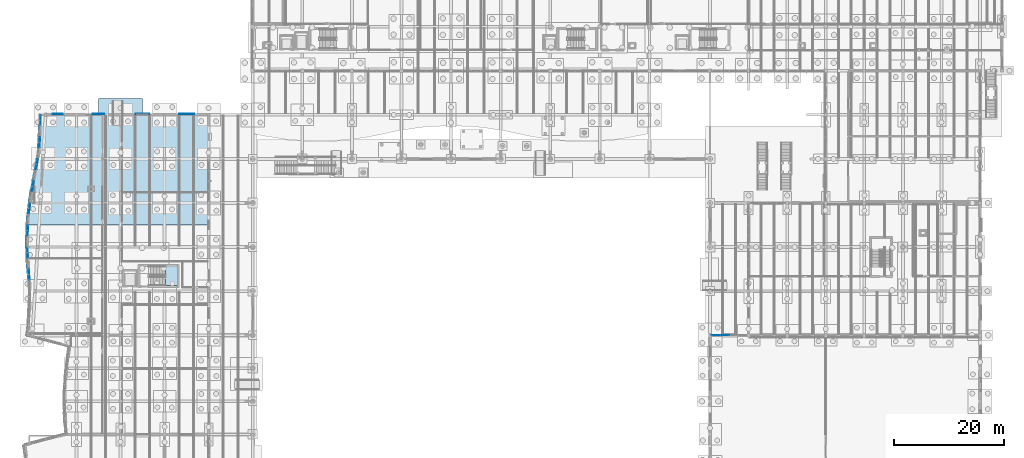
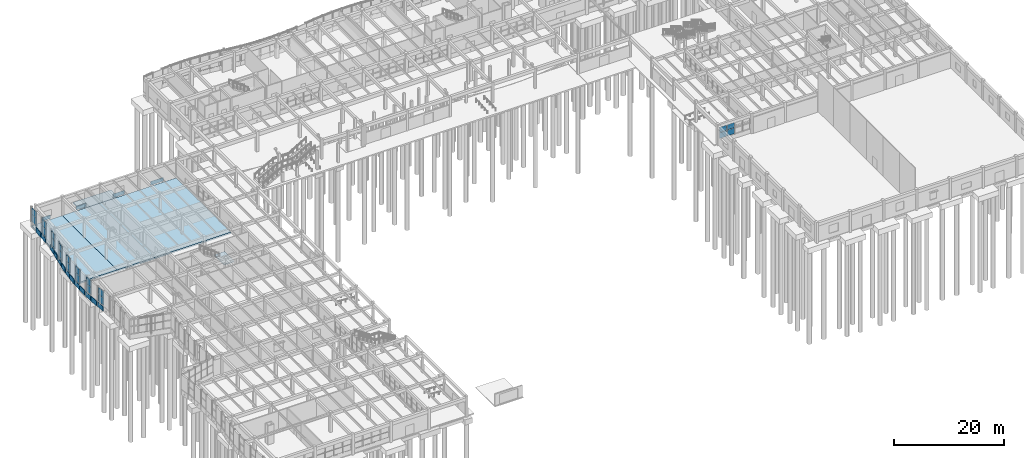
# One storey, part 53 of 99: 37 plates, 4 slabs, 10 elements without a shape of their own.
"""IFC4 building model written with IfcOpenShell, lengths in metres."""

from ifc_helpers import new_model, si_unit, direction, frame, origin, origin_2d, place, context, subcontext, project, spatial, polyline, rectangle, outline, extrude, material, layer, layer_set, type_object, element, aggregate, save


model = new_model("IFC4")

# Units and contexts
model_context = context("Model", 3, precision=1e-05, world=origin(), true_north=direction((0.0, 1.0)))
body_context = subcontext(model_context, "Body", "Model", "MODEL_VIEW")
ifc_project = project(units=[si_unit("LENGTHUNIT", "METRE"), si_unit("AREAUNIT", "SQUARE_METRE"), si_unit("VOLUMEUNIT", "CUBIC_METRE"), si_unit("PLANEANGLEUNIT", "RADIAN"), si_unit("MASSUNIT", "GRAM", prefix="KILO")], contexts=[model_context])

# Site, building, storey
site_placement = place(None, origin())
site = spatial("IfcSite", under=ifc_project, at=site_placement, CompositionType="ELEMENT")
building_placement = place(site_placement, origin())
building = spatial("IfcBuilding", under=site, at=building_placement, Name="Tonlespit Floodbar School", CompositionType="ELEMENT")
storey_placement = place(building_placement, origin())
storey = spatial("IfcBuildingStorey", under=building, at=storey_placement, Name="L00", CompositionType="ELEMENT", Elevation=0.0)

# Curtain wall, plates
ifc_material_1 = material(Name="Anodised Aluminium", Category="aluminium")
ifc_layer_1 = layer(ifc_material_1, 0.159912109375)
ifc_layer_set_1 = layer_set([ifc_layer_1], Name="Anodised Aluminium")
curtain_wall_type_1 = type_object("IfcCurtainWallType", Name="CurtainWall_1950x3300", PredefinedType="NOTDEFINED", material=ifc_layer_set_1)
curtain_wall_1_placement = place(storey_placement, origin())
curtain_wall_1 = element("IfcCurtainWall", 1, at=curtain_wall_1_placement, inside=storey, type_object=curtain_wall_type_1, Name="L00 unitised curtain wall 0261", PredefinedType="NOTDEFINED")
ifc_material_2 = material(Name="Laminated Low-E Glass", Category="glass")
ifc_layer_2 = layer(ifc_material_2, 0.028076171875)
ifc_layer_set_2 = layer_set([ifc_layer_2], Name="Laminated Low-E Glass")
plate_type_1 = type_object("IfcPlateType", Name="CW_Panel_Glaz_28", PredefinedType="CURTAIN_PANEL", material=ifc_layer_set_2)
plate_1_placement = place(storey_placement, frame((3.507080078125, 79.0, 1.014892578125), z_axis=(0.0, 0.0, 1.0), x_axis=(0.116967255837, 0.993135771716, 0.0)))
plate_1 = element("IfcPlate", 2, at=plate_1_placement, type_object=plate_type_1, Name="CW-01 panel 1.1", PredefinedType="CURTAIN_PANEL", context=body_context, shape_type="SweptSolid", body=[
    extrude(rectangle(XDim=1.803955078125, YDim=0.028076171875, at=origin_2d()), origin(), (0.0, 0.0, 1.0), 1.61328125),
])
plate_2_placement = place(storey_placement, frame((3.507080078125, 79.0, 2.693359375), z_axis=(0.0, 0.0, 1.0), x_axis=(0.116967255837, 0.993135771716, 0.0)))
plate_2 = element("IfcPlate", 3, at=plate_2_placement, type_object=plate_type_1, Name="CW-01 panel 1.2", PredefinedType="CURTAIN_PANEL", context=body_context, shape_type="SweptSolid", body=[
    extrude(rectangle(XDim=1.803955078125, YDim=0.028076171875, at=origin_2d()), origin(), (0.0, 0.0, 1.0), 1.481689453125),
])
aggregate(curtain_wall_1, [plate_1, plate_2])

ifc_layer_3 = layer(ifc_material_1, 0.159912109375)
ifc_layer_set_3 = layer_set([ifc_layer_3], Name="Anodised Aluminium")
curtain_wall_type_2 = type_object("IfcCurtainWallType", Name="CurtainWall_1900x3300", PredefinedType="NOTDEFINED", material=ifc_layer_set_3)
curtain_wall_2_placement = place(storey_placement, origin())
curtain_wall_2 = element("IfcCurtainWall", 4, at=curtain_wall_2_placement, inside=storey, type_object=curtain_wall_type_2, Name="L00 unitised curtain wall 0265", PredefinedType="NOTDEFINED")
plate_3_placement = place(storey_placement, frame((5.5126953125, 95.0, 1.014892578125), z_axis=(0.0, 0.0, 1.0), x_axis=(0.00218749477, 0.99999760743, 0.0)))
plate_3 = element("IfcPlate", 5, at=plate_3_placement, type_object=plate_type_1, Name="CW-02 panel 1.1", PredefinedType="CURTAIN_PANEL", context=body_context, shape_type="SweptSolid", body=[
    extrude(rectangle(XDim=1.7900390625, YDim=0.028076171875, at=origin_2d()), origin(), (0.0, 0.0, 1.0), 1.61328125),
])
plate_4_placement = place(storey_placement, frame((5.5126953125, 95.0, 2.693359375), z_axis=(0.0, 0.0, 1.0), x_axis=(0.00218749477, 0.99999760743, 0.0)))
plate_4 = element("IfcPlate", 6, at=plate_4_placement, type_object=plate_type_1, Name="CW-02 panel 1.2", PredefinedType="CURTAIN_PANEL", context=body_context, shape_type="SweptSolid", body=[
    extrude(rectangle(XDim=1.7900390625, YDim=0.028076171875, at=origin_2d()), origin(), (0.0, 0.0, 1.0), 1.481689453125),
])
aggregate(curtain_wall_2, [plate_3, plate_4])

curtain_wall_3_placement = place(storey_placement, origin())
curtain_wall_3 = element("IfcCurtainWall", 7, at=curtain_wall_3_placement, inside=storey, type_object=curtain_wall_type_1, Name="L00 unitised curtain wall 0258", PredefinedType="NOTDEFINED")
ifc_layer_4 = layer(ifc_material_2, 0.031982421875)
ifc_layer_set_4 = layer_set([ifc_layer_4], Name="Laminated Low-E Glass")
plate_type_2 = type_object("IfcPlateType", Name="CW_Panel_Glaz_32", PredefinedType="CURTAIN_PANEL", material=ifc_layer_set_4)
plate_5_placement = place(storey_placement, frame((3.44580078125, 67.0, 1.014892578125), z_axis=(0.0, 0.0, 1.0), x_axis=(-0.075711654028, 0.997129753565, 0.0)))
plate_5 = element("IfcPlate", 8, at=plate_5_placement, type_object=plate_type_2, Name="CW-01 panel 1.1", PredefinedType="CURTAIN_PANEL", context=body_context, shape_type="SweptSolid", body=[
    extrude(rectangle(XDim=1.795654296875, YDim=0.031982421875, at=origin_2d()), origin(), (0.0, 0.0, 1.0), 1.61328125),
])
plate_6_placement = place(storey_placement, frame((3.44580078125, 67.0, 2.693359375), z_axis=(0.0, 0.0, 1.0), x_axis=(-0.075711654028, 0.997129753565, 0.0)))
plate_6 = element("IfcPlate", 9, at=plate_6_placement, type_object=plate_type_2, Name="CW-01 panel 1.2", PredefinedType="CURTAIN_PANEL", context=body_context, shape_type="SweptSolid", body=[
    extrude(rectangle(XDim=1.795654296875, YDim=0.031982421875, at=origin_2d()), origin(), (0.0, 0.0, 1.0), 1.481689453125),
])
aggregate(curtain_wall_3, [plate_5, plate_6])

curtain_wall_4_placement = place(storey_placement, origin())
curtain_wall_4 = element("IfcCurtainWall", 10, at=curtain_wall_4_placement, inside=storey, type_object=curtain_wall_type_1, Name="L00 unitised curtain wall 0262", PredefinedType="NOTDEFINED")
plate_7_placement = place(storey_placement, frame((4.134033203125, 83.0, 1.014892578125), z_axis=(0.0, 0.0, 1.0), x_axis=(0.192244726092, 0.981347015734, 0.0)))
plate_7 = element("IfcPlate", 11, at=plate_7_placement, type_object=plate_type_2, Name="CW-01 panel 1.1", PredefinedType="CURTAIN_PANEL", context=body_context, shape_type="SweptSolid", body=[
    extrude(rectangle(XDim=1.827880859375, YDim=0.031982421875, at=origin_2d()), origin(), (0.0, 0.0, 1.0), 1.61328125),
])
plate_8_placement = place(storey_placement, frame((4.134033203125, 83.0, 2.693359375), z_axis=(0.0, 0.0, 1.0), x_axis=(0.192244726092, 0.981347015734, 0.0)))
plate_8 = element("IfcPlate", 12, at=plate_8_placement, type_object=plate_type_2, Name="CW-01 panel 1.2", PredefinedType="CURTAIN_PANEL", context=body_context, shape_type="SweptSolid", body=[
    extrude(rectangle(XDim=1.827880859375, YDim=0.031982421875, at=origin_2d()), origin(), (0.0, 0.0, 1.0), 1.481689453125),
])
aggregate(curtain_wall_4, [plate_7, plate_8])

ifc_layer_5 = layer(ifc_material_1, 0.159912109375)
ifc_layer_set_5 = layer_set([ifc_layer_5], Name="Anodised Aluminium")
curtain_wall_type_3 = type_object("IfcCurtainWallType", Name="CurtainWall_6450x2650", PredefinedType="NOTDEFINED", material=ifc_layer_set_5)
curtain_wall_5_placement = place(storey_placement, origin())
curtain_wall_5 = element("IfcCurtainWall", 13, at=curtain_wall_5_placement, inside=storey, type_object=curtain_wall_type_3, Name="L00 unitised curtain wall 0330", PredefinedType="NOTDEFINED")
plate_9_placement = place(storey_placement, frame((128.090087890625, 56.0, 1.014892578125), z_axis=(0.0, 0.0, 1.0), x_axis=(1.0, 0.0, 0.0)))
plate_9 = element("IfcPlate", 14, at=plate_9_placement, type_object=plate_type_2, Name="CW-51 panel 1.1", PredefinedType="CURTAIN_PANEL", context=body_context, shape_type="SweptSolid", body=[
    extrude(rectangle(XDim=1.52001953125, YDim=0.031982421875, at=origin_2d()), origin(), (0.0, 0.0, 1.0), 1.275390625),
])
plate_10_placement = place(storey_placement, frame((128.090087890625, 56.0, 2.35546875), z_axis=(0.0, 0.0, 1.0), x_axis=(1.0, 0.0, 0.0)))
plate_10 = element("IfcPlate", 15, at=plate_10_placement, type_object=plate_type_2, Name="CW-51 panel 1.2", PredefinedType="CURTAIN_PANEL", context=body_context, shape_type="SweptSolid", body=[
    extrude(rectangle(XDim=1.52001953125, YDim=0.031982421875, at=origin_2d()), origin(), (0.0, 0.0, 1.0), 1.169677734375),
])
plate_11_placement = place(storey_placement, frame((129.691162109375, 56.0, 1.014892578125), z_axis=(0.0, 0.0, 1.0), x_axis=(1.0, 0.0, 0.0)))
plate_11 = element("IfcPlate", 16, at=plate_11_placement, type_object=plate_type_2, Name="CW-51 panel 2.1", PredefinedType="CURTAIN_PANEL", context=body_context, shape_type="SweptSolid", body=[
    extrude(rectangle(XDim=1.552490234375, YDim=0.031982421875, at=origin_2d()), origin(), (0.0, 0.0, 1.0), 1.275390625),
])
plate_12_placement = place(storey_placement, frame((129.691162109375, 56.0, 2.35546875), z_axis=(0.0, 0.0, 1.0), x_axis=(1.0, 0.0, 0.0)))
plate_12 = element("IfcPlate", 17, at=plate_12_placement, type_object=plate_type_2, Name="CW-51 panel 2.2", PredefinedType="CURTAIN_PANEL", context=body_context, shape_type="SweptSolid", body=[
    extrude(rectangle(XDim=1.552490234375, YDim=0.031982421875, at=origin_2d()), origin(), (0.0, 0.0, 1.0), 1.169677734375),
])
aggregate(curtain_wall_5, [plate_9, plate_10, plate_11, plate_12])

curtain_wall_6_placement = place(storey_placement, origin())
curtain_wall_6 = element("IfcCurtainWall", 18, at=curtain_wall_6_placement, inside=storey, type_object=curtain_wall_type_2, Name="L00 unitised curtain wall 0259", PredefinedType="NOTDEFINED")
ifc_layer_6 = layer(ifc_material_2, 0.035888671875)
ifc_layer_set_6 = layer_set([ifc_layer_6], Name="Laminated Low-E Glass")
plate_type_3 = type_object("IfcPlateType", Name="CW_Panel_Glaz_36", PredefinedType="CURTAIN_PANEL", material=ifc_layer_set_6)
plate_13_placement = place(storey_placement, frame((3.181640625, 71.0, 1.014892578125), z_axis=(0.0, 0.0, 1.0), x_axis=(-0.036538085803, 0.999332261205, 0.0)))
plate_13 = element("IfcPlate", 19, at=plate_13_placement, type_object=plate_type_3, Name="CW-02 panel 1.1", PredefinedType="CURTAIN_PANEL", context=body_context, shape_type="SweptSolid", body=[
    extrude(rectangle(XDim=1.791259765625, YDim=0.035888671875, at=origin_2d()), origin(), (0.0, 0.0, 1.0), 1.61328125),
])
plate_14_placement = place(storey_placement, frame((3.181640625, 71.0, 2.693359375), z_axis=(0.0, 0.0, 1.0), x_axis=(-0.036538085803, 0.999332261205, 0.0)))
plate_14 = element("IfcPlate", 20, at=plate_14_placement, type_object=plate_type_3, Name="CW-02 panel 1.2", PredefinedType="CURTAIN_PANEL", context=body_context, shape_type="SweptSolid", body=[
    extrude(rectangle(XDim=1.791259765625, YDim=0.035888671875, at=origin_2d()), origin(), (0.0, 0.0, 1.0), 1.481689453125),
])
aggregate(curtain_wall_6, [plate_13, plate_14])

curtain_wall_7_placement = place(storey_placement, origin())
curtain_wall_7 = element("IfcCurtainWall", 21, at=curtain_wall_7_placement, inside=storey, type_object=curtain_wall_type_1, Name="L00 unitised curtain wall 0263", PredefinedType="NOTDEFINED")
plate_15_placement = place(storey_placement, frame((4.87841796875, 87.0, 1.014892578125), z_axis=(0.0, 0.0, 1.0), x_axis=(0.154700059367, 0.987961482869, 0.0)))
plate_15 = element("IfcPlate", 22, at=plate_15_placement, type_object=plate_type_3, Name="CW-01 panel 1.1", PredefinedType="CURTAIN_PANEL", context=body_context, shape_type="SweptSolid", body=[
    extrude(rectangle(XDim=1.814453125, YDim=0.035888671875, at=origin_2d()), origin(), (0.0, 0.0, 1.0), 1.61328125),
])
plate_16_placement = place(storey_placement, frame((4.87841796875, 87.0, 2.693359375), z_axis=(0.0, 0.0, 1.0), x_axis=(0.154700059367, 0.987961482869, 0.0)))
plate_16 = element("IfcPlate", 23, at=plate_16_placement, type_object=plate_type_3, Name="CW-01 panel 1.2", PredefinedType="CURTAIN_PANEL", context=body_context, shape_type="SweptSolid", body=[
    extrude(rectangle(XDim=1.814453125, YDim=0.035888671875, at=origin_2d()), origin(), (0.0, 0.0, 1.0), 1.481689453125),
])
aggregate(curtain_wall_7, [plate_15, plate_16])

curtain_wall_8_placement = place(storey_placement, origin())
curtain_wall_8 = element("IfcCurtainWall", 24, at=curtain_wall_8_placement, inside=storey, type_object=curtain_wall_type_2, Name="L00 unitised curtain wall 0260", PredefinedType="NOTDEFINED")
ifc_layer_7 = layer(ifc_material_2, 0.0419921875)
ifc_layer_set_7 = layer_set([ifc_layer_7], Name="Laminated Low-E Glass")
plate_type_4 = type_object("IfcPlateType", Name="CW_Panel_Glaz_42", PredefinedType="CURTAIN_PANEL", material=ifc_layer_set_7)
plate_17_placement = place(storey_placement, frame((3.190185546875, 75.0, 1.014892578125), z_axis=(0.0, 0.0, 1.0), x_axis=(0.040747380387, 0.999169480615, 0.0)))
plate_17 = element("IfcPlate", 25, at=plate_17_placement, type_object=plate_type_4, Name="CW-02 panel 1.1", PredefinedType="CURTAIN_PANEL", context=body_context, shape_type="SweptSolid", body=[
    extrude(rectangle(XDim=1.79150390625, YDim=0.0419921875, at=origin_2d()), origin(), (0.0, 0.0, 1.0), 1.61328125),
])
plate_18_placement = place(storey_placement, frame((3.190185546875, 75.0, 2.693359375), z_axis=(0.0, 0.0, 1.0), x_axis=(0.040747380387, 0.999169480615, 0.0)))
plate_18 = element("IfcPlate", 26, at=plate_18_placement, type_object=plate_type_4, Name="CW-02 panel 1.2", PredefinedType="CURTAIN_PANEL", context=body_context, shape_type="SweptSolid", body=[
    extrude(rectangle(XDim=1.79150390625, YDim=0.0419921875, at=origin_2d()), origin(), (0.0, 0.0, 1.0), 1.481689453125),
])
aggregate(curtain_wall_8, [plate_17, plate_18])

curtain_wall_9_placement = place(storey_placement, origin())
curtain_wall_9 = element("IfcCurtainWall", 27, at=curtain_wall_9_placement, inside=storey, type_object=curtain_wall_type_1, Name="L00 unitised curtain wall 0264", PredefinedType="NOTDEFINED")
plate_19_placement = place(storey_placement, frame((5.349853515625, 91.0, 1.014892578125), z_axis=(0.0, 0.0, 1.0), x_axis=(0.078963166836, 0.996877534245, 0.0)))
plate_19 = element("IfcPlate", 28, at=plate_19_placement, type_object=plate_type_4, Name="CW-01 panel 1.1", PredefinedType="CURTAIN_PANEL", context=body_context, shape_type="SweptSolid", body=[
    extrude(rectangle(XDim=1.796142578125, YDim=0.0419921875, at=origin_2d()), origin(), (0.0, 0.0, 1.0), 1.61328125),
])
plate_20_placement = place(storey_placement, frame((5.349853515625, 91.0, 2.693359375), z_axis=(0.0, 0.0, 1.0), x_axis=(0.078963166836, 0.996877534245, 0.0)))
plate_20 = element("IfcPlate", 29, at=plate_20_placement, type_object=plate_type_4, Name="CW-01 panel 1.2", PredefinedType="CURTAIN_PANEL", context=body_context, shape_type="SweptSolid", body=[
    extrude(rectangle(XDim=1.796142578125, YDim=0.0419921875, at=origin_2d()), origin(), (0.0, 0.0, 1.0), 1.481689453125),
])
aggregate(curtain_wall_9, [plate_19, plate_20])

# Plates
ifc_layer_8 = layer(ifc_material_1, 0.044921875)
ifc_layer_set_8 = layer_set([ifc_layer_8], Name="Anodised Aluminium")
plate_type_5 = type_object("IfcPlateType", Name="FacadeCassette_01", PredefinedType="SHEET", material=ifc_layer_set_8)
plate_21_placement = place(storey_placement, frame((8.632568359375, 96.140380859375, 0.094970703125), z_axis=(0.0, 0.0, 1.0), x_axis=(1.0, 0.0, 0.0)))
element("IfcPlate", 30, at=plate_21_placement, inside=storey, type_object=plate_type_5, Name="L00 folded rainscreen cassette 001", PredefinedType="SHEET", context=body_context, shape_type="SweptSolid", body=[
    extrude(rectangle(XDim=1.800048828125, YDim=0.044921875, at=origin_2d()), origin(), (0.0, 0.0, 1.0), 0.85009765625),
])
ifc_material_3 = material(Name="Terracotta Anodised Aluminium", Category="masonry")
ifc_layer_9 = layer(ifc_material_3, 0.044921875)
ifc_layer_set_9 = layer_set([ifc_layer_9], Name="Terracotta Anodised Aluminium")
plate_type_6 = type_object("IfcPlateType", Name="FacadeCassette_02", PredefinedType="SHEET", material=ifc_layer_set_9)
plate_22_placement = place(storey_placement, frame((16.0, 96.140380859375, 0.094970703125), z_axis=(0.0, 0.0, 1.0), x_axis=(1.0, 0.0, 0.0)))
element("IfcPlate", 31, at=plate_22_placement, inside=storey, type_object=plate_type_6, Name="L00 folded rainscreen cassette 002", PredefinedType="SHEET", context=body_context, shape_type="SweptSolid", body=[
    extrude(rectangle(XDim=2.10009765625, YDim=0.044921875, at=origin_2d()), origin(), (0.0, 0.0, 1.0), 0.85009765625),
])
ifc_layer_10 = layer(ifc_material_1, 0.050048828125)
ifc_layer_set_10 = layer_set([ifc_layer_10], Name="Anodised Aluminium")
plate_type_7 = type_object("IfcPlateType", Name="FacadeCassette_03", PredefinedType="SHEET", material=ifc_layer_set_10)
plate_23_placement = place(storey_placement, frame((24.0, 96.14306640625, 0.094970703125), z_axis=(0.0, 0.0, 1.0), x_axis=(1.0, 0.0, 0.0)))
element("IfcPlate", 32, at=plate_23_placement, inside=storey, type_object=plate_type_7, Name="L00 folded rainscreen cassette 003", PredefinedType="SHEET", context=body_context, shape_type="SweptSolid", body=[
    extrude(rectangle(XDim=2.39990234375, YDim=0.050048828125, at=origin_2d()), origin(), (0.0, 0.0, 1.0), 0.85009765625),
])
ifc_layer_11 = layer(ifc_material_3, 0.050048828125)
ifc_layer_set_11 = layer_set([ifc_layer_11], Name="Terracotta Anodised Aluminium")
plate_type_8 = type_object("IfcPlateType", Name="FacadeCassette_04", PredefinedType="SHEET", material=ifc_layer_set_11)
plate_24_placement = place(storey_placement, frame((32.0, 96.14306640625, 0.094970703125), z_axis=(0.0, 0.0, 1.0), x_axis=(1.0, 0.0, 0.0)))
element("IfcPlate", 33, at=plate_24_placement, inside=storey, type_object=plate_type_8, Name="L00 folded rainscreen cassette 004", PredefinedType="SHEET", context=body_context, shape_type="SweptSolid", body=[
    extrude(rectangle(XDim=2.699951171875, YDim=0.050048828125, at=origin_2d()), origin(), (0.0, 0.0, 1.0), 0.85009765625),
])
ifc_material_4 = material(Name="White Architectural Aluminium", Category="aluminium")
ifc_layer_12 = layer(ifc_material_4, 0.06494140625)
ifc_layer_set_12 = layer_set([ifc_layer_12], Name="White Architectural Aluminium")
plate_type_9 = type_object("IfcPlateType", Name="FacadeRibbon_White_65", PredefinedType="SHEET", material=ifc_layer_set_12)
plate_25_placement = place(storey_placement, frame((3.264404296875, 66.986083984375, -0.1201171875), z_axis=(0.0, 0.0, 1.0), x_axis=(-0.075681836348, 0.997132017161, 0.0)))
element("IfcPlate", 34, at=plate_25_placement, inside=storey, type_object=plate_type_9, Name="L00 flowing white street spandrel ribbon 0499", PredefinedType="SHEET", context=body_context, shape_type="SweptSolid", body=[
    extrude(rectangle(XDim=1.845703125, YDim=0.06494140625, at=origin_2d()), origin(), (0.0, 0.0, 1.0), 1.070068359375),
])
plate_26_placement = place(storey_placement, frame((3.082763671875, 68.98388671875, -0.1201171875), z_axis=(0.0, 0.0, 1.0), x_axis=(-0.075681836348, 0.997132017161, 0.0)))
element("IfcPlate", 35, at=plate_26_placement, inside=storey, type_object=plate_type_9, Name="L00 flowing white street spandrel ribbon 0500", PredefinedType="SHEET", context=body_context, shape_type="SweptSolid", body=[
    extrude(rectangle(XDim=1.845703125, YDim=0.06494140625, at=origin_2d()), origin(), (0.0, 0.0, 1.0), 1.1201171875),
])
plate_27_placement = place(storey_placement, frame((2.999755859375, 70.993408203125, -0.1201171875), z_axis=(0.0, 0.0, 1.0), x_axis=(-0.036575686496, 0.999330885722, 0.0)))
element("IfcPlate", 36, at=plate_27_placement, inside=storey, type_object=plate_type_9, Name="L00 flowing white street spandrel ribbon 0501", PredefinedType="SHEET", context=body_context, shape_type="SweptSolid", body=[
    extrude(rectangle(XDim=1.84130859375, YDim=0.06494140625, at=origin_2d()), origin(), (0.0, 0.0, 1.0), 1.070068359375),
])
plate_28_placement = place(storey_placement, frame((2.935302734375, 73.00048828125, -0.1201171875), z_axis=(0.0, 0.0, 1.0), x_axis=(0.00220085841, 0.999997578108, 0.0)))
element("IfcPlate", 37, at=plate_28_placement, inside=storey, type_object=plate_type_9, Name="L00 flowing white street spandrel ribbon 0502", PredefinedType="SHEET", context=body_context, shape_type="SweptSolid", body=[
    extrude(rectangle(XDim=1.840087890625, YDim=0.06494140625, at=origin_2d()), origin(), (0.0, 0.0, 1.0), 1.1201171875),
])
plate_29_placement = place(storey_placement, frame((3.00830078125, 75.00732421875, -0.1201171875), z_axis=(0.0, 0.0, 1.0), x_axis=(0.040715999914, 0.999170759856, 0.0)))
element("IfcPlate", 38, at=plate_29_placement, inside=storey, type_object=plate_type_9, Name="L00 flowing white street spandrel ribbon 0503", PredefinedType="SHEET", context=body_context, shape_type="SweptSolid", body=[
    extrude(rectangle(XDim=1.841796875, YDim=0.06494140625, at=origin_2d()), origin(), (0.0, 0.0, 1.0), 1.070068359375),
])
plate_30_placement = place(storey_placement, frame((3.098876953125, 77.0166015625, -0.1201171875), z_axis=(0.0, 0.0, 1.0), x_axis=(0.079001948152, 0.996874461599, 0.0)))
element("IfcPlate", 39, at=plate_30_placement, inside=storey, type_object=plate_type_9, Name="L00 flowing white street spandrel ribbon 0504", PredefinedType="SHEET", context=body_context, shape_type="SweptSolid", body=[
    extrude(rectangle(XDim=1.84619140625, YDim=0.06494140625, at=origin_2d()), origin(), (0.0, 0.0, 1.0), 1.1201171875),
])
plate_31_placement = place(storey_placement, frame((3.326416015625, 79.021240234375, -0.1201171875), z_axis=(0.0, 0.0, 1.0), x_axis=(0.116991411823, 0.99313292643, 0.0)))
element("IfcPlate", 40, at=plate_31_placement, inside=storey, type_object=plate_type_9, Name="L00 flowing white street spandrel ribbon 0505", PredefinedType="SHEET", context=body_context, shape_type="SweptSolid", body=[
    extrude(rectangle(XDim=1.853759765625, YDim=0.06494140625, at=origin_2d()), origin(), (0.0, 0.0, 1.0), 1.070068359375),
])
plate_32_placement = place(storey_placement, frame((3.572265625, 81.03271484375, -0.1201171875), z_axis=(0.0, 0.0, 1.0), x_axis=(0.154713834929, 0.987959325722, 0.0)))
element("IfcPlate", 41, at=plate_32_placement, inside=storey, type_object=plate_type_9, Name="L00 flowing white street spandrel ribbon 0506", PredefinedType="SHEET", context=body_context, shape_type="SweptSolid", body=[
    extrude(rectangle(XDim=1.864501953125, YDim=0.06494140625, at=origin_2d()), origin(), (0.0, 0.0, 1.0), 1.1201171875),
])
plate_33_placement = place(storey_placement, frame((3.95556640625, 83.034912109375, -0.1201171875), z_axis=(0.0, 0.0, 1.0), x_axis=(0.192246217643, 0.98134672354, 0.0)))
element("IfcPlate", 42, at=plate_33_placement, inside=storey, type_object=plate_type_9, Name="L00 flowing white street spandrel ribbon 0507", PredefinedType="SHEET", context=body_context, shape_type="SweptSolid", body=[
    extrude(rectangle(XDim=1.8779296875, YDim=0.06494140625, at=origin_2d()), origin(), (0.0, 0.0, 1.0), 1.070068359375),
])
plate_34_placement = place(storey_placement, frame((4.31787109375, 85.040771484375, -0.1201171875), z_axis=(0.0, 0.0, 1.0), x_axis=(0.192246217643, 0.98134672354, 0.0)))
element("IfcPlate", 43, at=plate_34_placement, inside=storey, type_object=plate_type_9, Name="L00 flowing white street spandrel ribbon 0508", PredefinedType="SHEET", context=body_context, shape_type="SweptSolid", body=[
    extrude(rectangle(XDim=1.8779296875, YDim=0.06494140625, at=origin_2d()), origin(), (0.0, 0.0, 1.0), 1.1201171875),
])
plate_35_placement = place(storey_placement, frame((4.698486328125, 87.0283203125, -0.1201171875), z_axis=(0.0, 0.0, 1.0), x_axis=(0.154713834929, 0.987959325722, 0.0)))
element("IfcPlate", 44, at=plate_35_placement, inside=storey, type_object=plate_type_9, Name="L00 flowing white street spandrel ribbon 0509", PredefinedType="SHEET", context=body_context, shape_type="SweptSolid", body=[
    extrude(rectangle(XDim=1.864501953125, YDim=0.06494140625, at=origin_2d()), origin(), (0.0, 0.0, 1.0), 1.070068359375),
])
plate_36_placement = place(storey_placement, frame((5.16845703125, 91.014404296875, -0.1201171875), z_axis=(0.0, 0.0, 1.0), x_axis=(0.079001948152, 0.996874461599, 0.0)))
element("IfcPlate", 45, at=plate_36_placement, inside=storey, type_object=plate_type_9, Name="L00 flowing white street spandrel ribbon 0511", PredefinedType="SHEET", context=body_context, shape_type="SweptSolid", body=[
    extrude(rectangle(XDim=1.84619140625, YDim=0.06494140625, at=origin_2d()), origin(), (0.0, 0.0, 1.0), 1.070068359375),
])
plate_37_placement = place(storey_placement, frame((5.258056640625, 93.008544921875, -0.1201171875), z_axis=(0.0, 0.0, 1.0), x_axis=(0.040715999914, 0.999170759856, 0.0)))
element("IfcPlate", 46, at=plate_37_placement, inside=storey, type_object=plate_type_9, Name="L00 flowing white street spandrel ribbon 0512", PredefinedType="SHEET", context=body_context, shape_type="SweptSolid", body=[
    extrude(rectangle(XDim=1.841796875, YDim=0.06494140625, at=origin_2d()), origin(), (0.0, 0.0, 1.0), 1.1201171875),
])

# Stair, slab
ifc_material_5 = material(Name="Concrete C40/50", Category="concrete")
stair_type = type_object("IfcStairType", Name="Stair_Core_L00", PredefinedType="HALF_TURN_STAIR", material=ifc_material_5)
stair_placement = place(storey_placement, origin())
stair = element("IfcStair", 47, at=stair_placement, inside=storey, type_object=stair_type, Name="L00 Core C3 escape stair", PredefinedType="HALF_TURN_STAIR")
ifc_layer_13 = layer(ifc_material_5, 0.199951171875)
ifc_layer_set_13 = layer_set([ifc_layer_13], Name="Concrete C40/50")
slab_type_1 = type_object("IfcSlabType", Name="Landing_Core_RC200", PredefinedType="LANDING", material=ifc_layer_set_13)
slab_1_placement = place(storey_placement, frame((0.0, 0.0, 2.050048828125)))
slab_1 = element("IfcSlab", 48, at=slab_1_placement, type_object=slab_type_1, Name="ST-C3 landing 1", PredefinedType="LANDING", context=body_context, shape_type="SweptSolid", body=[
    extrude(outline(polyline([(28.199951171875, 65.0), (30.300048828125, 65.0), (30.300048828125, 68.5400390625), (28.199951171875, 68.5400390625), (28.199951171875, 65.0)])), origin(), (0.0, 0.0, 1.0), 0.199951171875),
])
aggregate(stair, [slab_1])

# Slabs
ifc_layer_14 = layer(ifc_material_5, 0.159912109375)
ifc_layer_set_14 = layer_set([ifc_layer_14], Name="Concrete C40/50")
slab_type_2 = type_object("IfcSlabType", Name="Slab_Apron_RC_160", PredefinedType="BASESLAB", material=ifc_layer_set_14)
slab_2_placement = place(storey_placement, frame((0.0, 0.0, -0.4599609375)))
element("IfcSlab", 49, at=slab_2_placement, inside=storey, type_object=slab_type_2, Name="Entrance ramp lower apron APR-NW", PredefinedType="BASESLAB", context=body_context, shape_type="SweptSolid", body=[
    extrude(outline(polyline([(16.0, 96.0), (24.0, 96.0), (24.0, 99.0), (16.0, 99.0), (16.0, 96.0)])), origin(), (0.0, 0.0, 1.0), 0.159912109375),
])
ifc_layer_15 = layer(ifc_material_5, 0.330078125)
ifc_layer_set_15 = layer_set([ifc_layer_15], Name="Concrete C40/50")
slab_type_3 = type_object("IfcSlabType", Name="Slab_Base_Tank_RC_320", PredefinedType="BASESLAB", material=ifc_layer_set_15)
slab_3_placement = place(storey_placement, frame((0.0, 0.0, -0.330078125)))
element("IfcSlab", 50, at=slab_3_placement, inside=storey, type_object=slab_type_3, Name="L00 V2 L00 north STEAM lab slab", PredefinedType="BASESLAB", context=body_context, shape_type="SweptSolid", body=[
    extrude(outline(polyline([(12.0, 96.0), (36.0, 96.0), (36.0, 76.0), (12.0, 76.0), (12.0, 96.0)])), origin(), (0.0, 0.0, 1.0), 0.330078125),
])
slab_4_placement = place(storey_placement, frame((0.0, 0.0, -0.330078125)))
element("IfcSlab", 51, at=slab_4_placement, inside=storey, type_object=slab_type_3, Name="L00 V2 L00 splayed studio slab 76", PredefinedType="BASESLAB", context=body_context, shape_type="SweptSolid", body=[
    extrude(outline(polyline([(3.23095703125, 76.0), (3.625, 80.0), (3.938232421875, 82.0), (4.7216796875, 86.0), (5.2705078125, 90.0), (5.510498046875, 94.0), (5.514892578125, 96.0), (12.0, 96.0), (12.0, 76.0), (3.23095703125, 76.0)])), origin(), (0.0, 0.0, 1.0), 0.330078125),
])

save(model, "model.ifc")
